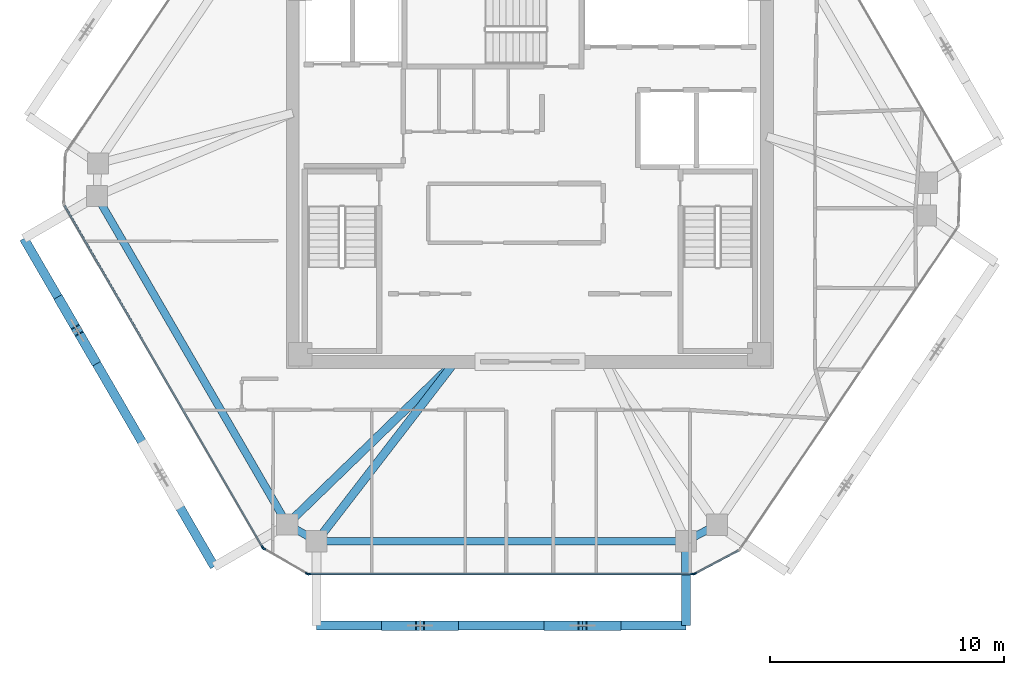
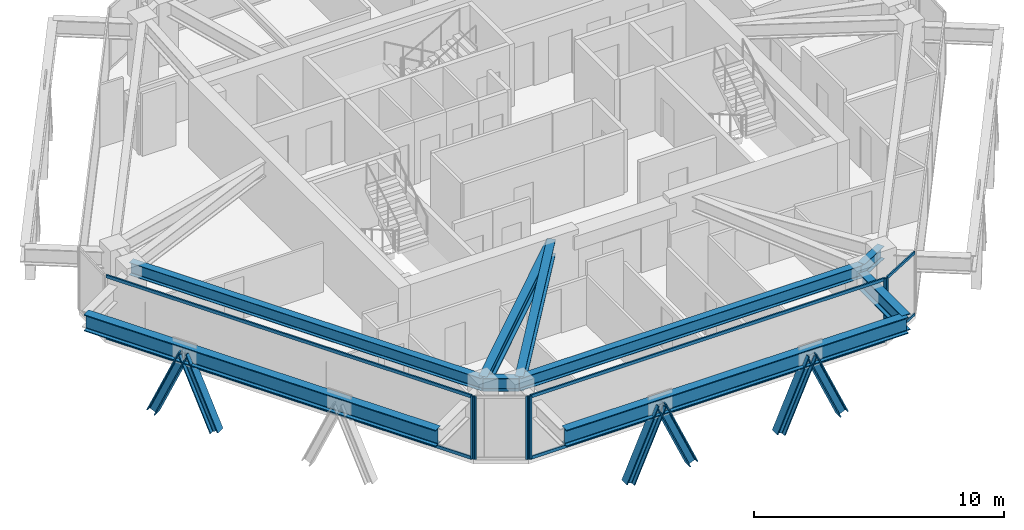
# One storey, part 2 of 13: 18 members, 9 beams, 4 elements without a shape of their own.
"""IFC4 building model written with IfcOpenShell, lengths in metres."""

from ifc_helpers import new_model, si_unit, direction, frame, origin, origin_2d, place, context, subcontext, project, spatial, rectangle, i_section, extrude, source, transform, mapped, material, layer, layer_set, material_profile, profile_set, type_object, type_shapes, element, aggregate, save


model = new_model("IFC4")

# Units and contexts
model_context = context("Model", 3, precision=1e-05, world=origin(), true_north=direction((0.0, 1.0)))
body_context = subcontext(model_context, "Body", "Model", "MODEL_VIEW")
ifc_project = project(units=[si_unit("LENGTHUNIT", "METRE"), si_unit("AREAUNIT", "SQUARE_METRE"), si_unit("VOLUMEUNIT", "CUBIC_METRE"), si_unit("PLANEANGLEUNIT", "RADIAN"), si_unit("MASSUNIT", "GRAM", prefix="KILO")], contexts=[model_context])

# Site, building, storey
site_placement = place(None, origin())
site = spatial("IfcSite", under=ifc_project, at=site_placement, CompositionType="ELEMENT")
building_placement = place(site_placement, origin())
building = spatial("IfcBuilding", under=site, at=building_placement, Name="Durnholm Broadcast Tower", CompositionType="ELEMENT")
storey_placement = place(building_placement, frame((0.0, 0.0, 248.0)))
storey = spatial("IfcBuildingStorey", under=building, at=storey_placement, Name="L69", CompositionType="ELEMENT", Elevation=248.0)

# Beams
ifc_material_1 = material(Name="Steel ASTM A992 Grade 50", Category="steel")
ifc_material_profile_1 = material_profile(ifc_material_1, i_section(OverallWidth=0.385009765625, OverallDepth=0.802978515625, WebThickness=0.023681640625, FlangeThickness=0.0419921875, FilletRadius=0.032958984375, at=origin_2d()), Name="W30X261")
ifc_profile_set_1 = profile_set([ifc_material_profile_1], Name="Steel ASTM A992 Grade 50")
beam_type_1 = type_object("IfcBeamType", Name="BM-EXO-TIE", PredefinedType="USERDEFINED", material=ifc_profile_set_1)
shared_shape_1 = source(origin(), body_context, "Body", "SweptSolid", [
    extrude(i_section(OverallWidth=0.385009765625, OverallDepth=0.802978515625, WebThickness=0.023681640625, FlangeThickness=0.0419921875, FilletRadius=0.032958984375, at=origin_2d()), origin(), (0.0, 0.0, 1.0), 3.4560546875),
])
beam_1_placement = place(storey_placement, frame((6.663818359375, -15.929931640625, 2.30859375), z_axis=(0.0, -1.0, 0.0), x_axis=(1.0, 0.0, 0.0)))
element("IfcBeam", 1, at=beam_1_placement, inside=storey, type_object=beam_type_1, Name="L69 exoskeleton stand-off tie bracket F1.2", ObjectType="GIRDER", PredefinedType="USERDEFINED", context=body_context, shape_type="MappedRepresentation", body=[
    mapped(shared_shape_1, transform((0.0, 0.0, 0.0), x_axis=(1.0, 0.0, 0.0), y_axis=(0.0, 1.0, 0.0), z_axis=(0.0, 0.0, 1.0), scale=1.0)),
])
ifc_material_profile_2 = material_profile(ifc_material_1, i_section(OverallWidth=0.3251953125, OverallDepth=0.6162109375, WebThickness=0.013916015625, FlangeThickness=0.021484375, FilletRadius=0.02783203125, at=origin_2d()), Name="W24X117")
ifc_profile_set_2 = profile_set([ifc_material_profile_2], Name="Steel ASTM A992 Grade 50")
beam_type_2 = type_object("IfcBeamType", Name="STL-SP-W24X117", PredefinedType="SPANDREL", material=ifc_profile_set_2)
shared_shape_2 = source(origin(), body_context, "Body", "SweptSolid", [
    extrude(i_section(OverallWidth=0.3251953125, OverallDepth=0.6162109375, WebThickness=0.013916015625, FlangeThickness=0.021484375, FilletRadius=0.02783203125, at=origin_2d()), origin(), (0.0, 0.0, 1.0), 16.202880859375),
])
beam_2_placement = place(storey_placement, frame((-10.361328125, -15.061767578125, 2.73681640625), z_axis=(-0.501948303381, 0.864897624423, 0.0), x_axis=(-0.864897624423, -0.501948303381, 0.0)))
element("IfcBeam", 2, at=beam_2_placement, inside=storey, type_object=beam_type_2, Name="L69 perimeter spandrel girder 01", PredefinedType="SPANDREL", context=body_context, shape_type="MappedRepresentation", body=[
    mapped(shared_shape_2, transform((0.0, 0.0, 0.0), x_axis=(1.0, 0.0, 0.0), y_axis=(0.0, 1.0, 0.0), z_axis=(0.0, 0.0, 1.0), scale=1.0)),
])
shared_shape_3 = source(origin(), body_context, "Body", "SweptSolid", [
    extrude(i_section(OverallWidth=0.3251953125, OverallDepth=0.6162109375, WebThickness=0.013916015625, FlangeThickness=0.021484375, FilletRadius=0.02783203125, at=origin_2d()), origin(), (0.0, 0.0, 1.0), 1.502685546875),
])
beam_3_placement = place(storey_placement, frame((7.990966796875, -15.081298828125, 2.73681640625), z_axis=(-0.883241909673, -0.468917614296, 0.0), x_axis=(0.468917614296, -0.883241909673, 0.0)))
element("IfcBeam", 3, at=beam_3_placement, inside=storey, type_object=beam_type_2, Name="L69 perimeter spandrel girder 10", PredefinedType="SPANDREL", context=body_context, shape_type="MappedRepresentation", body=[
    mapped(shared_shape_3, transform((0.0, 0.0, 0.0), x_axis=(1.0, 0.0, 0.0), y_axis=(0.0, 1.0, 0.0), z_axis=(0.0, 0.0, 1.0), scale=1.0)),
])
shared_shape_4 = source(origin(), body_context, "Body", "SweptSolid", [
    extrude(i_section(OverallWidth=0.3251953125, OverallDepth=0.6162109375, WebThickness=0.013916015625, FlangeThickness=0.021484375, FilletRadius=0.02783203125, at=origin_2d()), origin(), (0.0, 0.0, 1.0), 15.767578125),
])
beam_4_placement = place(storey_placement, frame((6.663818359375, -15.785888671875, 2.73681640625), z_axis=(-1.0, 0.0, 0.0), x_axis=(0.0, -1.0, 0.0)))
element("IfcBeam", 4, at=beam_4_placement, inside=storey, type_object=beam_type_2, Name="L69 perimeter spandrel girder 11", PredefinedType="SPANDREL", context=body_context, shape_type="MappedRepresentation", body=[
    mapped(shared_shape_4, transform((0.0, 0.0, 0.0), x_axis=(1.0, 0.0, 0.0), y_axis=(0.0, 1.0, 0.0), z_axis=(0.0, 0.0, 1.0), scale=1.0)),
])
shared_shape_5 = source(origin(), body_context, "Body", "SweptSolid", [
    extrude(i_section(OverallWidth=0.3251953125, OverallDepth=0.6162109375, WebThickness=0.013916015625, FlangeThickness=0.021484375, FilletRadius=0.02783203125, at=origin_2d()), origin(), (0.0, 0.0, 1.0), 1.451171875),
])
type_shapes(beam_type_2, [shared_shape_2, shared_shape_3, shared_shape_4, shared_shape_5])
beam_5_placement = place(storey_placement, frame((-9.103759765625, -15.785888671875, 2.73681640625), z_axis=(-0.866602615509, 0.498998904601, 0.0), x_axis=(-0.498998904601, -0.866602615509, 0.0)))
element("IfcBeam", 5, at=beam_5_placement, inside=storey, type_object=beam_type_2, Name="L69 perimeter spandrel girder 12", PredefinedType="SPANDREL", context=body_context, shape_type="MappedRepresentation", body=[
    mapped(shared_shape_5, transform((0.0, 0.0, 0.0), x_axis=(1.0, 0.0, 0.0), y_axis=(0.0, 1.0, 0.0), z_axis=(0.0, 0.0, 1.0), scale=1.0)),
])
shared_shape_6 = source(origin(), body_context, "Body", "SweptSolid", [
    extrude(i_section(OverallWidth=0.385009765625, OverallDepth=0.802978515625, WebThickness=0.023681640625, FlangeThickness=0.0419921875, FilletRadius=0.032958984375, at=origin_2d()), origin(), (0.0, 0.0, 1.0), 15.767578125),
])
beam_6_placement = place(storey_placement, frame((-9.103759765625, -19.385986328125, 2.30859375), z_axis=(1.0, 0.0, 0.0), x_axis=(0.0, 1.0, 0.0)))
element("IfcBeam", 6, at=beam_6_placement, inside=storey, type_object=beam_type_1, Name="L69 exoskeleton collector spandrel F1", PredefinedType="SPANDREL", context=body_context, shape_type="MappedRepresentation", body=[
    mapped(shared_shape_6, transform((0.0, 0.0, 0.0), x_axis=(1.0, 0.0, 0.0), y_axis=(0.0, 1.0, 0.0), z_axis=(0.0, 0.0, 1.0), scale=1.0)),
])
shared_shape_7 = source(origin(), body_context, "Body", "SweptSolid", [
    extrude(i_section(OverallWidth=0.385009765625, OverallDepth=0.802978515625, WebThickness=0.023681640625, FlangeThickness=0.0419921875, FilletRadius=0.032958984375, at=origin_2d()), origin(), (0.0, 0.0, 1.0), 16.20263671875),
])
type_shapes(beam_type_1, [shared_shape_1, shared_shape_6, shared_shape_7])
beam_7_placement = place(storey_placement, frame((-21.60791015625, -2.85498046875, 2.30859375), z_axis=(0.501943573333, -0.864900369516, 0.0), x_axis=(0.864900369516, 0.501943573333, 0.0)))
element("IfcBeam", 7, at=beam_7_placement, inside=storey, type_object=beam_type_1, Name="L69 exoskeleton collector spandrel F6", PredefinedType="SPANDREL", context=body_context, shape_type="MappedRepresentation", body=[
    mapped(shared_shape_7, transform((0.0, 0.0, 0.0), x_axis=(1.0, 0.0, 0.0), y_axis=(0.0, 1.0, 0.0), z_axis=(0.0, 0.0, 1.0), scale=1.0)),
])
ifc_material_profile_3 = material_profile(ifc_material_1, i_section(OverallWidth=0.3564453125, OverallDepth=0.713623046875, WebThickness=0.01904296875, FlangeThickness=0.033935546875, FilletRadius=0.030517578125, at=origin_2d()), Name="W27X194")
ifc_profile_set_3 = profile_set([ifc_material_profile_3], Name="Steel ASTM A992 Grade 50")
beam_type_3 = type_object("IfcBeamType", Name="STL-GR-W27X194", PredefinedType="USERDEFINED", material=ifc_profile_set_3)
shared_shape_8 = source(origin(), body_context, "Body", "SweptSolid", [
    extrude(i_section(OverallWidth=0.3564453125, OverallDepth=0.713623046875, WebThickness=0.01904296875, FlangeThickness=0.033935546875, FilletRadius=0.030517578125, at=origin_2d()), origin(), (0.0, 0.0, 1.0), 9.97021484375),
])
beam_8_placement = place(storey_placement, frame((-3.199951171875, -8.125, 2.688232421875), z_axis=(-0.718281140352, -0.695752975857, 0.0), x_axis=(0.695752975857, -0.718281140352, 0.0)))
element("IfcBeam", 8, at=beam_8_placement, inside=storey, type_object=beam_type_3, Name="L69 radial primary floor girder 01", ObjectType="GIRDER", PredefinedType="USERDEFINED", context=body_context, shape_type="MappedRepresentation", body=[
    mapped(shared_shape_8, transform((0.0, 0.0, 0.0), x_axis=(1.0, 0.0, 0.0), y_axis=(0.0, 1.0, 0.0), z_axis=(0.0, 0.0, 1.0), scale=1.0)),
])
shared_shape_9 = source(origin(), body_context, "Body", "SweptSolid", [
    extrude(i_section(OverallWidth=0.3564453125, OverallDepth=0.713623046875, WebThickness=0.01904296875, FlangeThickness=0.033935546875, FilletRadius=0.030517578125, at=origin_2d()), origin(), (0.0, 0.0, 1.0), 9.671875),
])
type_shapes(beam_type_3, [shared_shape_8, shared_shape_9])
beam_9_placement = place(storey_placement, frame((-3.199951171875, -8.125, 2.688232421875), z_axis=(-0.610413181287, -0.792083169945, 0.0), x_axis=(0.792083169945, -0.610413181287, 0.0)))
element("IfcBeam", 9, at=beam_9_placement, inside=storey, type_object=beam_type_3, Name="L69 radial primary floor girder 12", ObjectType="GIRDER", PredefinedType="USERDEFINED", context=body_context, shape_type="MappedRepresentation", body=[
    mapped(shared_shape_9, transform((0.0, 0.0, 0.0), x_axis=(1.0, 0.0, 0.0), y_axis=(0.0, 1.0, 0.0), z_axis=(0.0, 0.0, 1.0), scale=1.0)),
])

# Members
ifc_material_2 = material(Name="Steel ASTM A913 Grade 65", Category="steel")
ifc_material_profile_4 = material_profile(ifc_material_2, i_section(OverallWidth=0.40625, OverallDepth=0.416015625, WebThickness=0.02978515625, FlangeThickness=0.048095703125, FilletRadius=0.030517578125, at=origin_2d()), Name="W14X257")
ifc_profile_set_4 = profile_set([ifc_material_profile_4], Name="Steel ASTM A913 Grade 65")
member_type_1 = type_object("IfcMemberType", Name="STL-DG-W14X257", PredefinedType="BRACE", material=ifc_profile_set_4)
shared_shape_10 = source(origin(), body_context, "Body", "SweptSolid", [
    extrude(i_section(OverallWidth=0.40625, OverallDepth=0.416015625, WebThickness=0.02978515625, FlangeThickness=0.048095703125, FilletRadius=0.030517578125, at=origin_2d()), origin(), (0.0, 0.0, 1.0), 3.60791015625),
])
for number, where, z_axis, x_axis, name in (
    (10, (-6.14697265625, -19.385986328125, -0.991455078125), (0.404184914295, 0.0, 0.914677295584), (0.0, 1.0, 0.0), "L69 stand-off diagrid brace F1.D1.1"),
    (11, (0.79052734375, -19.385986328125, -0.991455078125), (0.404184914295, 0.0, 0.914677295584), (0.0, 1.0, 0.0), "L69 stand-off diagrid brace F1.D2.1"),
    (12, (3.70703125, -19.385986328125, -0.991455078125), (-0.404184914295, 0.0, 0.914677295584), (0.0, -1.0, 0.0), "L69 stand-off diagrid brace F1.D2.2"),
    (13, (-20.0625, -5.517578125, -0.991455078125), (0.202806304578, -0.349582038522, 0.914692298626), (0.864978863669, 0.501808295473, 0.0), "L69 stand-off diagrid brace F6.D1.1"),
    (14, (-18.5986328125, -8.0400390625, -0.991455078125), (-0.202936072208, 0.349572440488, 0.914667185072), (-0.864833498681, -0.50205878098, 0.0), "L69 stand-off diagrid brace F6.D1.2"),
):
    element("IfcMember", number, at=place(storey_placement, frame(where, z_axis=z_axis, x_axis=x_axis)), inside=storey, type_object=member_type_1, Name=name, PredefinedType="BRACE", context=body_context, shape_type="MappedRepresentation", body=[
        mapped(shared_shape_10, transform((0.0, 0.0, 0.0), x_axis=(1.0, 0.0, 0.0), y_axis=(0.0, 1.0, 0.0), z_axis=(0.0, 0.0, 1.0), scale=1.0)),
    ])
shared_shape_11 = source(origin(), body_context, "Body", "SweptSolid", [
    extrude(i_section(OverallWidth=0.40625, OverallDepth=0.416015625, WebThickness=0.02978515625, FlangeThickness=0.048095703125, FilletRadius=0.030517578125, at=origin_2d()), origin(), (0.0, 0.0, 1.0), 3.607666015625),
])
type_shapes(member_type_1, [shared_shape_10, shared_shape_11])
member_1_placement = place(storey_placement, frame((-3.230712890625, -19.385986328125, -0.991455078125), z_axis=(-0.404128298032, 0.0, 0.914702311536), x_axis=(0.0, -1.0, 0.0)))
element("IfcMember", 15, at=member_1_placement, inside=storey, type_object=member_type_1, Name="L69 stand-off diagrid brace F1.D1.2", PredefinedType="BRACE", context=body_context, shape_type="MappedRepresentation", body=[
    mapped(shared_shape_11, transform((0.0, 0.0, 0.0), x_axis=(1.0, 0.0, 0.0), y_axis=(0.0, 1.0, 0.0), z_axis=(0.0, 0.0, 1.0), scale=1.0)),
])

# Curtain wall, members
ifc_material_3 = material(Name="Aluminium and Solar Control IGU", Category="aluminium")
ifc_layer_1 = layer(ifc_material_3, 0.1650390625)
ifc_layer_set_1 = layer_set([ifc_layer_1], Name="Aluminium and Solar Control IGU")
curtain_wall_type_1 = type_object("IfcCurtainWallType", Name="CW-SYS-5", PredefinedType="NOTDEFINED", material=ifc_layer_set_1)
curtain_wall_1_placement = place(storey_placement, origin())
curtain_wall_1 = element("IfcCurtainWall", 16, at=curtain_wall_1_placement, inside=storey, type_object=curtain_wall_type_1, Name="L69 curtain wall CW-CORNER CW-L69-CRN-09", PredefinedType="NOTDEFINED")
ifc_material_4 = material(Name="Aluminium 6063-T6", Category="aluminium")
ifc_material_profile_5 = material_profile(ifc_material_4, rectangle(XDim=0.06494140625, YDim=0.1298828125, at=origin_2d()), Name="CWT65X130")
ifc_profile_set_5 = profile_set([ifc_material_profile_5], Name="Aluminium 6063-T6")
member_type_2 = type_object("IfcMemberType", Name="CW-SYS-5-TRN", PredefinedType="USERDEFINED", material=ifc_profile_set_5)
shared_shape_12 = source(origin(), body_context, "Body", "SweptSolid", [
    extrude(rectangle(XDim=0.06494140625, YDim=0.1298828125, at=origin_2d()), origin(), (0.0, 0.0, 1.0), 2.070068359375),
])
type_shapes(member_type_2, [shared_shape_12])
member_2_placement = place(storey_placement, frame((8.89794921875, -16.1845703125, 0.032470703125), z_axis=(-0.883164581026, -0.469063239682, 0.0), x_axis=(0.469063239682, -0.883164581026, 0.0)))
member_2 = element("IfcMember", 17, at=member_2_placement, type_object=member_type_2, Name="CW-CORNER transom 1.1", ObjectType="TRANSOM", PredefinedType="USERDEFINED", context=body_context, shape_type="MappedRepresentation", body=[
    mapped(shared_shape_12, transform((0.0, 0.0, 0.0), x_axis=(1.0, 0.0, 0.0), y_axis=(0.0, 1.0, 0.0), z_axis=(0.0, 0.0, 1.0), scale=1.0)),
])
member_3_placement = place(storey_placement, frame((8.89794921875, -16.1845703125, 3.027587890625), z_axis=(-0.883164581026, -0.469063239682, 0.0), x_axis=(0.469063239682, -0.883164581026, 0.0)))
member_3 = element("IfcMember", 18, at=member_3_placement, type_object=member_type_2, Name="CW-CORNER transom 1.2", ObjectType="TRANSOM", PredefinedType="USERDEFINED", context=body_context, shape_type="MappedRepresentation", body=[
    mapped(shared_shape_12, transform((0.0, 0.0, 0.0), x_axis=(1.0, 0.0, 0.0), y_axis=(0.0, 1.0, 0.0), z_axis=(0.0, 0.0, 1.0), scale=1.0)),
])
ifc_material_profile_6 = material_profile(ifc_material_4, rectangle(XDim=0.06494140625, YDim=0.1650390625, at=origin_2d()), Name="CWM65X165")
ifc_profile_set_6 = profile_set([ifc_material_profile_6], Name="Aluminium 6063-T6")
member_type_3 = type_object("IfcMemberType", Name="CW-SYS-5-MUL", PredefinedType="MULLION", material=ifc_profile_set_6)
shared_shape_13 = source(origin(), body_context, "Body", "SweptSolid", [
    extrude(rectangle(XDim=0.06494140625, YDim=0.1650390625, at=origin_2d()), origin(), (0.0, 0.0, 1.0), 3.06005859375),
])
type_shapes(member_type_3, [shared_shape_13])
member_4_placement = place(storey_placement, frame((7.041015625, -17.170654296875, 0.0), z_axis=(0.0, 0.0, 1.0), x_axis=(0.469006771575, -0.883194569853, 0.0)))
member_4 = element("IfcMember", 19, at=member_4_placement, type_object=member_type_3, Name="CW-CORNER mullion 2", PredefinedType="MULLION", context=body_context, shape_type="MappedRepresentation", body=[
    mapped(shared_shape_13, transform((0.0, 0.0, 0.0), x_axis=(1.0, 0.0, 0.0), y_axis=(0.0, 1.0, 0.0), z_axis=(0.0, 0.0, 1.0), scale=1.0)),
])
aggregate(curtain_wall_1, [member_4, member_2, member_3])

curtain_wall_2_placement = place(storey_placement, origin())
curtain_wall_2 = element("IfcCurtainWall", 20, at=curtain_wall_2_placement, inside=storey, type_object=curtain_wall_type_1, Name="L69 curtain wall CW-CORNER CW-L69-CRN-11", PredefinedType="NOTDEFINED")
member_5_placement = place(storey_placement, frame((-9.506103515625, -17.169677734375, 0.0), z_axis=(0.0, 0.0, 1.0), x_axis=(-0.499058582333, -0.866568249707, 0.0)))
member_5 = element("IfcMember", 21, at=member_5_placement, type_object=member_type_3, Name="CW-CORNER mullion 1", PredefinedType="MULLION", context=body_context, shape_type="MappedRepresentation", body=[
    mapped(shared_shape_13, transform((0.0, 0.0, 0.0), x_axis=(1.0, 0.0, 0.0), y_axis=(0.0, 1.0, 0.0), z_axis=(0.0, 0.0, 1.0), scale=1.0)),
])
member_6_placement = place(storey_placement, frame((-11.356201171875, -16.104248046875, 0.0), z_axis=(0.0, 0.0, 1.0), x_axis=(-0.499058582333, -0.866568249707, 0.0)))
member_6 = element("IfcMember", 22, at=member_6_placement, type_object=member_type_3, Name="CW-CORNER mullion 2", PredefinedType="MULLION", context=body_context, shape_type="MappedRepresentation", body=[
    mapped(shared_shape_13, transform((0.0, 0.0, 0.0), x_axis=(1.0, 0.0, 0.0), y_axis=(0.0, 1.0, 0.0), z_axis=(0.0, 0.0, 1.0), scale=1.0)),
])
aggregate(curtain_wall_2, [member_5, member_6])

ifc_layer_2 = layer(ifc_material_3, 0.18994140625)
ifc_layer_set_2 = layer_set([ifc_layer_2], Name="Aluminium and Solar Control IGU")
curtain_wall_type_2 = type_object("IfcCurtainWallType", Name="CW-SYS-4", PredefinedType="NOTDEFINED", material=ifc_layer_set_2)
curtain_wall_3_placement = place(storey_placement, origin())
curtain_wall_3 = element("IfcCurtainWall", 23, at=curtain_wall_3_placement, inside=storey, type_object=curtain_wall_type_2, Name="L69 curtain wall CW-Z34-VIS CW-L69-F10", PredefinedType="NOTDEFINED")
ifc_material_profile_7 = material_profile(ifc_material_4, rectangle(XDim=0.070068359375, YDim=0.18994140625, at=origin_2d()), Name="CWM70X190")
ifc_profile_set_7 = profile_set([ifc_material_profile_7], Name="Aluminium 6063-T6")
member_type_4 = type_object("IfcMemberType", Name="CW-SYS-4-MUL", PredefinedType="MULLION", material=ifc_profile_set_7)
shared_shape_14 = source(origin(), body_context, "Body", "SweptSolid", [
    extrude(rectangle(XDim=0.070068359375, YDim=0.18994140625, at=origin_2d()), origin(), (0.0, 0.0, 1.0), 3.06005859375),
])
type_shapes(member_type_4, [shared_shape_14])
member_7_placement = place(storey_placement, frame((6.977294921875, -17.18603515625, 0.0), z_axis=(0.0, 0.0, 1.0), x_axis=(0.0, -1.0, 0.0)))
member_7 = element("IfcMember", 24, at=member_7_placement, type_object=member_type_4, Name="CW-Z34-VIS mullion 1", PredefinedType="MULLION", context=body_context, shape_type="MappedRepresentation", body=[
    mapped(shared_shape_14, transform((0.0, 0.0, 0.0), x_axis=(1.0, 0.0, 0.0), y_axis=(0.0, 1.0, 0.0), z_axis=(0.0, 0.0, 1.0), scale=1.0)),
])
member_8_placement = place(storey_placement, frame((-9.443115234375, -17.18603515625, 0.0), z_axis=(0.0, 0.0, 1.0), x_axis=(0.0, -1.0, 0.0)))
member_8 = element("IfcMember", 25, at=member_8_placement, type_object=member_type_4, Name="CW-Z34-VIS mullion 2", PredefinedType="MULLION", context=body_context, shape_type="MappedRepresentation", body=[
    mapped(shared_shape_14, transform((0.0, 0.0, 0.0), x_axis=(1.0, 0.0, 0.0), y_axis=(0.0, 1.0, 0.0), z_axis=(0.0, 0.0, 1.0), scale=1.0)),
])

# Curtain wall, member
curtain_wall_4_placement = place(storey_placement, origin())
curtain_wall_4 = element("IfcCurtainWall", 26, at=curtain_wall_4_placement, inside=storey, type_object=curtain_wall_type_2, Name="L69 curtain wall CW-Z34-VIS CW-L69-F12", PredefinedType="NOTDEFINED")
member_9_placement = place(storey_placement, frame((-11.40185546875, -16.057861328125, 0.0), z_axis=(0.0, 0.0, 1.0), x_axis=(-0.864899883824, -0.50194441023, 0.0)))
member_9 = element("IfcMember", 27, at=member_9_placement, type_object=member_type_4, Name="CW-Z34-VIS mullion 1", PredefinedType="MULLION", context=body_context, shape_type="MappedRepresentation", body=[
    mapped(shared_shape_14, transform((0.0, 0.0, 0.0), x_axis=(1.0, 0.0, 0.0), y_axis=(0.0, 1.0, 0.0), z_axis=(0.0, 0.0, 1.0), scale=1.0)),
])

# Member
ifc_material_profile_8 = material_profile(ifc_material_4, rectangle(XDim=0.070068359375, YDim=0.14990234375, at=origin_2d()), Name="CWT70X150")
ifc_profile_set_8 = profile_set([ifc_material_profile_8], Name="Aluminium 6063-T6")
member_type_5 = type_object("IfcMemberType", Name="CW-SYS-4-TRN", PredefinedType="USERDEFINED", material=ifc_profile_set_8)
shared_shape_15 = source(origin(), body_context, "Body", "SweptSolid", [
    extrude(rectangle(XDim=0.070068359375, YDim=0.14990234375, at=origin_2d()), origin(), (0.0, 0.0, 1.0), 16.350341796875),
])
member_10_placement = place(storey_placement, frame((6.9423828125, -17.18603515625, 0.034912109375), z_axis=(-1.0, 0.0, 0.0), x_axis=(0.0, -1.0, 0.0)))
member_10 = element("IfcMember", 28, at=member_10_placement, type_object=member_type_5, Name="CW-Z34-VIS transom 1.1", ObjectType="TRANSOM", PredefinedType="USERDEFINED", context=body_context, shape_type="MappedRepresentation", body=[
    mapped(shared_shape_15, transform((0.0, 0.0, 0.0), x_axis=(1.0, 0.0, 0.0), y_axis=(0.0, 1.0, 0.0), z_axis=(0.0, 0.0, 1.0), scale=1.0)),
])

member_11_placement = place(storey_placement, frame((6.9423828125, -17.18603515625, 3.02490234375), z_axis=(-1.0, 0.0, 0.0), x_axis=(0.0, -1.0, 0.0)))
member_11 = element("IfcMember", 29, at=member_11_placement, type_object=member_type_5, Name="CW-Z34-VIS transom 1.2", ObjectType="TRANSOM", PredefinedType="USERDEFINED", context=body_context, shape_type="MappedRepresentation", body=[
    mapped(shared_shape_15, transform((0.0, 0.0, 0.0), x_axis=(1.0, 0.0, 0.0), y_axis=(0.0, 1.0, 0.0), z_axis=(0.0, 0.0, 1.0), scale=1.0)),
])

aggregate(curtain_wall_3, [member_7, member_8, member_10, member_11])

shared_shape_16 = source(origin(), body_context, "Body", "SweptSolid", [
    extrude(rectangle(XDim=0.070068359375, YDim=0.14990234375, at=origin_2d()), origin(), (0.0, 0.0, 1.0), 16.83984375),
])
type_shapes(member_type_5, [shared_shape_15, shared_shape_16])
member_12_placement = place(storey_placement, frame((-11.41943359375, -16.027587890625, 0.034912109375), z_axis=(-0.501945239029, 0.86489940283, 0.0), x_axis=(-0.86489940283, -0.501945239029, 0.0)))
member_12 = element("IfcMember", 30, at=member_12_placement, type_object=member_type_5, Name="CW-Z34-VIS transom 1.1", ObjectType="TRANSOM", PredefinedType="USERDEFINED", context=body_context, shape_type="MappedRepresentation", body=[
    mapped(shared_shape_16, transform((0.0, 0.0, 0.0), x_axis=(1.0, 0.0, 0.0), y_axis=(0.0, 1.0, 0.0), z_axis=(0.0, 0.0, 1.0), scale=1.0)),
])

member_13_placement = place(storey_placement, frame((-11.41943359375, -16.027587890625, 3.02490234375), z_axis=(-0.501945239029, 0.86489940283, 0.0), x_axis=(-0.86489940283, -0.501945239029, 0.0)))
member_13 = element("IfcMember", 31, at=member_13_placement, type_object=member_type_5, Name="CW-Z34-VIS transom 1.2", ObjectType="TRANSOM", PredefinedType="USERDEFINED", context=body_context, shape_type="MappedRepresentation", body=[
    mapped(shared_shape_16, transform((0.0, 0.0, 0.0), x_axis=(1.0, 0.0, 0.0), y_axis=(0.0, 1.0, 0.0), z_axis=(0.0, 0.0, 1.0), scale=1.0)),
])

aggregate(curtain_wall_4, [member_9, member_12, member_13])

save(model, "model.ifc")
